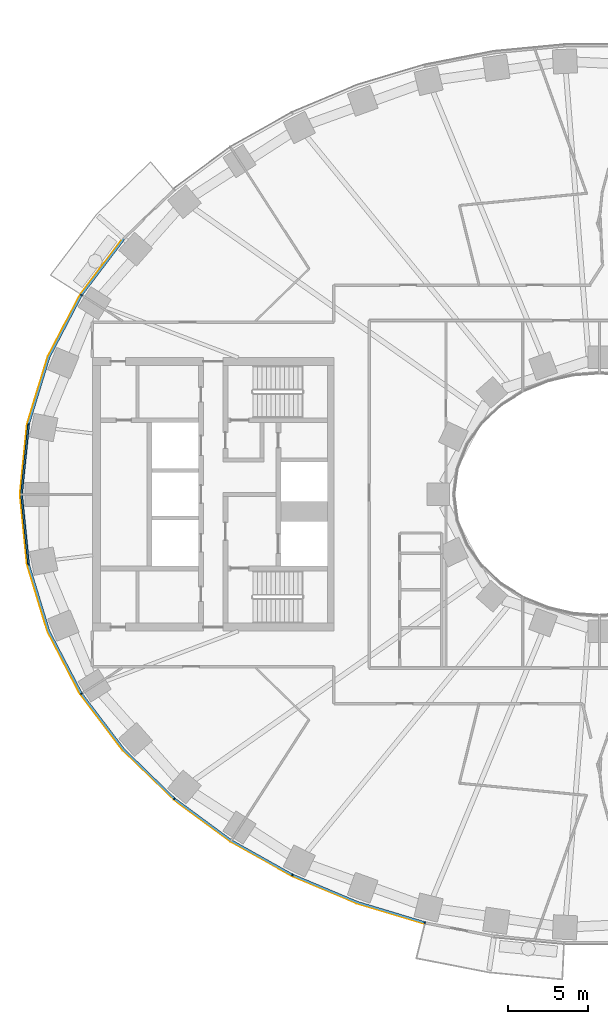
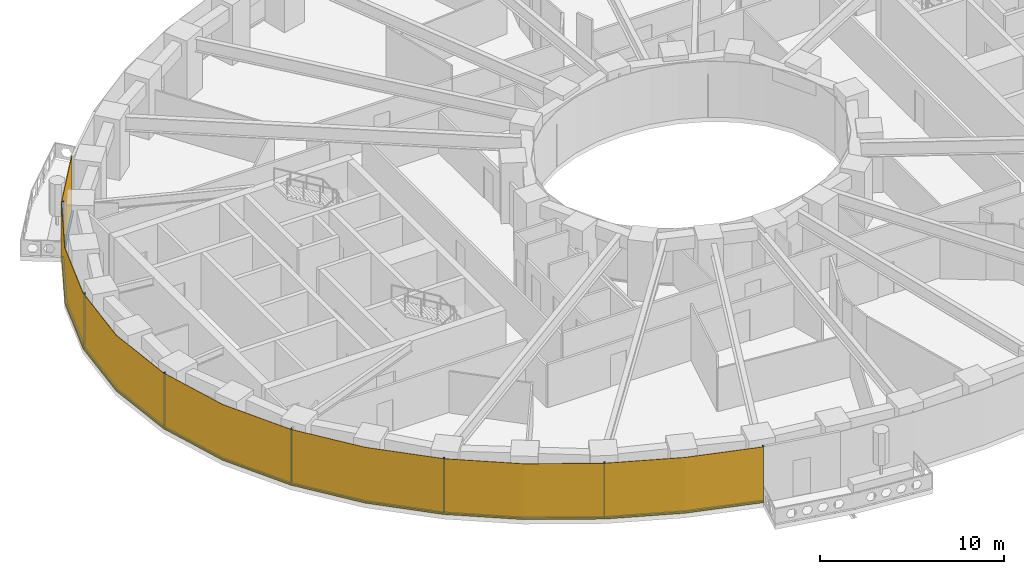
# One storey, part 8 of 16: 14 members, 1 curtain wall.
"""IFC4 building model written with IfcOpenShell, lengths in metres."""

from ifc_helpers import new_model, si_unit, direction, frame, origin, origin_2d, place, context, subcontext, project, spatial, polyline, rectangle, outline, extrude, material, layer, layer_set, material_profile, profile_set, type_object, element, aggregate, save


model = new_model("IFC4")

# Units and contexts
model_context = context("Model", 3, precision=1e-05, world=origin(), true_north=direction((0.0, 1.0)))
body_context = subcontext(model_context, "Body", "Model", "MODEL_VIEW")
ifc_project = project(units=[si_unit("LENGTHUNIT", "METRE"), si_unit("AREAUNIT", "SQUARE_METRE"), si_unit("VOLUMEUNIT", "CUBIC_METRE"), si_unit("PLANEANGLEUNIT", "RADIAN"), si_unit("MASSUNIT", "GRAM", prefix="KILO")], contexts=[model_context])

# Member
ifc_material_1 = material(Name="Aluminium 6063-T6 black anodised", Category="aluminium")
ifc_material_profile = material_profile(ifc_material_1, rectangle(XDim=0.1201171875, YDim=0.06005859375, at=origin_2d()), Name="120x60")
ifc_profile_set = profile_set([ifc_material_profile], Name="Aluminium 6063-T6 black anodised")
member_type_1 = type_object("IfcMemberType", Name="ENV-MULLION-A-120", PredefinedType="MULLION", material=ifc_profile_set)
site_placement = place(None, origin())
building_placement = place(site_placement, origin())
storey_placement = place(building_placement, frame((0.0, 0.0, 46.5)))
member_1_placement = place(storey_placement, frame((-32.177490234375, 12.385498046875, 0.0), z_axis=(0.0, 0.0, 1.0), x_axis=(0.844829880882, -0.53503501976, 0.0)))
member_1 = element("IfcMember", 1, at=member_1_placement, type_object=member_type_1, Name="Mullion A radial 21", PredefinedType="MULLION", context=body_context, shape_type="SweptSolid", body=[
    extrude(rectangle(XDim=0.1201171875, YDim=0.06005859375, at=origin_2d()), origin(), (0.0, 0.0, 1.0), 3.699951171875),
])

member_2_placement = place(storey_placement, frame((-35.470947265625, 4.340576171875, 0.0), z_axis=(0.0, 0.0, 1.0), x_axis=(0.980379083141, -0.19712141776, 0.0)))
member_2 = element("IfcMember", 2, at=member_2_placement, type_object=member_type_1, Name="Mullion A radial 23", PredefinedType="MULLION", context=body_context, shape_type="SweptSolid", body=[
    extrude(rectangle(XDim=0.1201171875, YDim=0.06005859375, at=origin_2d()), origin(), (0.0, 0.0, 1.0), 3.699951171875),
])

member_3_placement = place(storey_placement, frame((-35.470947265625, -4.340576171875, 0.0), z_axis=(0.0, 0.0, 1.0), x_axis=(0.980379083141, 0.19712141776, 0.0)))
member_3 = element("IfcMember", 3, at=member_3_placement, type_object=member_type_1, Name="Mullion A radial 25", PredefinedType="MULLION", context=body_context, shape_type="SweptSolid", body=[
    extrude(rectangle(XDim=0.1201171875, YDim=0.06005859375, at=origin_2d()), origin(), (0.0, 0.0, 1.0), 3.699951171875),
])

member_4_placement = place(storey_placement, frame((-32.177490234375, -12.385498046875, 0.0), z_axis=(0.0, 0.0, 1.0), x_axis=(0.844829880882, 0.53503501976, 0.0)))
member_4 = element("IfcMember", 4, at=member_4_placement, type_object=member_type_1, Name="Mullion A radial 27", PredefinedType="MULLION", context=body_context, shape_type="SweptSolid", body=[
    extrude(rectangle(XDim=0.1201171875, YDim=0.06005859375, at=origin_2d()), origin(), (0.0, 0.0, 1.0), 3.699951171875),
])

member_5_placement = place(storey_placement, frame((-26.403564453125, -18.9130859375, 0.0), z_axis=(0.0, 0.0, 1.0), x_axis=(0.646451313783, 0.762955240435, 0.0)))
member_5 = element("IfcMember", 5, at=member_5_placement, type_object=member_type_1, Name="Mullion A radial 29", PredefinedType="MULLION", context=body_context, shape_type="SweptSolid", body=[
    extrude(rectangle(XDim=0.1201171875, YDim=0.06005859375, at=origin_2d()), origin(), (0.0, 0.0, 1.0), 3.699951171875),
])

member_6_placement = place(storey_placement, frame((-19.06787109375, -23.6474609375, 0.0), z_axis=(0.0, 0.0, 1.0), x_axis=(0.439237769837, 0.898370848563, 0.0)))
member_6 = element("IfcMember", 6, at=member_6_placement, type_object=member_type_1, Name="Mullion A radial 31", PredefinedType="MULLION", context=body_context, shape_type="SweptSolid", body=[
    extrude(rectangle(XDim=0.1201171875, YDim=0.06005859375, at=origin_2d()), origin(), (0.0, 0.0, 1.0), 3.699951171875),
])

member_7_placement = place(storey_placement, frame((-10.84326171875, -26.60498046875, 0.0), z_axis=(0.0, 0.0, 1.0), x_axis=(0.239799081534, 0.970822538106, 0.0)))
member_7 = element("IfcMember", 7, at=member_7_placement, type_object=member_type_1, Name="Mullion A radial 33", PredefinedType="MULLION", context=body_context, shape_type="SweptSolid", body=[
    extrude(rectangle(XDim=0.1201171875, YDim=0.06005859375, at=origin_2d()), origin(), (0.0, 0.0, 1.0), 3.699951171875),
])

ifc_material_2 = material(Name="Aluminium 6063-T6 black anodised", Category="aluminium")
member_type_2 = type_object("IfcMemberType", Name="ENV-TRANSOM-A", PredefinedType="USERDEFINED", material=ifc_material_2)
member_8_placement = place(storey_placement, origin())
member_8 = element("IfcMember", 8, at=member_8_placement, type_object=member_type_2, Name="Transom A radial 20-21", ObjectType="TRANSOM", PredefinedType="USERDEFINED", context=body_context, shape_type="SweptSolid", body=[
    extrude(outline(polyline([(-29.595703125, 15.890869140625), (-32.211181640625, 12.43994140625), (-32.109375, 12.37548828125), (-29.505615234375, 15.811279296875), (-29.595703125, 15.890869140625)])), origin(), (0.0, 0.0, 1.0), 0.10009765625),
])

member_9_placement = place(storey_placement, origin())
member_9 = element("IfcMember", 9, at=member_9_placement, type_object=member_type_2, Name="Transom A radial 21-23", ObjectType="TRANSOM", PredefinedType="USERDEFINED", context=body_context, shape_type="SweptSolid", body=[
    extrude(outline(polyline([(-32.240966796875, 12.392578125), (-34.251220703125, 8.53662109375), (-35.521484375, 4.379150390625), (-35.4033203125, 4.355224609375), (-34.139892578125, 8.490966796875), (-32.139404296875, 12.328369140625), (-32.240966796875, 12.392578125)])), origin(), (0.0, 0.0, 1.0), 0.10009765625),
])

member_10_placement = place(storey_placement, origin())
member_10 = element("IfcMember", 10, at=member_10_placement, type_object=member_type_2, Name="Transom A radial 23-25", ObjectType="TRANSOM", PredefinedType="USERDEFINED", context=body_context, shape_type="SweptSolid", body=[
    extrude(outline(polyline([(-35.532470703125, 4.324462890625), (-35.9677734375, 0.0), (-35.532470703125, -4.324462890625), (-35.414306640625, -4.30078125), (-35.84716796875, 0.0), (-35.414306640625, 4.30078125), (-35.532470703125, 4.324462890625)])), origin(), (0.0, 0.0, 1.0), 0.10009765625),
])

member_11_placement = place(storey_placement, origin())
member_11 = element("IfcMember", 11, at=member_11_placement, type_object=member_type_2, Name="Transom A radial 25-27", ObjectType="TRANSOM", PredefinedType="USERDEFINED", context=body_context, shape_type="SweptSolid", body=[
    extrude(outline(polyline([(-35.521484375, -4.379150390625), (-34.251220703125, -8.53662109375), (-32.240966796875, -12.392578125), (-32.139404296875, -12.328369140625), (-34.139892578125, -8.490966796875), (-35.4033203125, -4.355224609375), (-35.521484375, -4.379150390625)])), origin(), (0.0, 0.0, 1.0), 0.10009765625),
])

member_12_placement = place(storey_placement, origin())
member_12 = element("IfcMember", 12, at=member_12_placement, type_object=member_type_2, Name="Transom A radial 27-29", ObjectType="TRANSOM", PredefinedType="USERDEFINED", context=body_context, shape_type="SweptSolid", body=[
    extrude(outline(polyline([(-32.211181640625, -12.43994140625), (-29.58349609375, -15.906982421875), (-26.46240234375, -18.939208984375), (-26.384765625, -18.847412109375), (-29.493408203125, -15.8271484375), (-32.109375, -12.37548828125), (-32.211181640625, -12.43994140625)])), origin(), (0.0, 0.0, 1.0), 0.10009765625),
])

member_13_placement = place(storey_placement, origin())
member_13 = element("IfcMember", 13, at=member_13_placement, type_object=member_type_2, Name="Transom A radial 29-31", ObjectType="TRANSOM", PredefinedType="USERDEFINED", context=body_context, shape_type="SweptSolid", body=[
    extrude(outline(polyline([(-26.419921875, -18.975341796875), (-22.9150390625, -21.556884765625), (-19.11865234375, -23.687744140625), (-19.06591796875, -23.57958984375), (-22.85009765625, -21.455810546875), (-26.342041015625, -18.883544921875), (-26.419921875, -18.975341796875)])), origin(), (0.0, 0.0, 1.0), 0.10009765625),
])

member_14_placement = place(storey_placement, origin())
member_14 = element("IfcMember", 14, at=member_14_placement, type_object=member_type_2, Name="Transom A radial 31-33", ObjectType="TRANSOM", PredefinedType="USERDEFINED", context=body_context, shape_type="SweptSolid", body=[
    extrude(outline(polyline([(-19.068359375, -23.71240234375), (-15.054443359375, -25.400146484375), (-10.884521484375, -26.655029296875), (-10.855712890625, -26.53857421875), (-15.013916015625, -25.287109375), (-19.015380859375, -23.604248046875), (-19.068359375, -23.71240234375)])), origin(), (0.0, 0.0, 1.0), 0.10009765625),
])

# Site, building, storey
site = spatial("IfcSite", under=ifc_project, at=site_placement, CompositionType="ELEMENT")
building = spatial("IfcBuilding", under=site, at=building_placement, Name="Noorbagh Ring Tower", CompositionType="ELEMENT")
storey = spatial("IfcBuildingStorey", under=building, at=storey_placement, Name="L09", CompositionType="ELEMENT", Elevation=46.5)

# Curtain wall
ifc_material_3 = material(Name="Glass dark tinted laminated", Category="glass")
ifc_layer = layer(ifc_material_3, 0.031982421875)
ifc_layer_set = layer_set([ifc_layer], Name="Glass dark tinted laminated")
curtain_wall_type = type_object("IfcCurtainWallType", Name="ENV-CW-A", PredefinedType="NOTDEFINED", material=ifc_layer_set)
curtain_wall_placement = place(storey_placement, origin())
curtain_wall = element("IfcCurtainWall", 15, at=curtain_wall_placement, inside=storey, type_object=curtain_wall_type, Name="Curtain wall A R20", PredefinedType="NOTDEFINED", context=body_context, shape_type="SweptSolid", body=[
    extrude(outline(polyline([(-29.61962890625, 15.912109375), (-32.255126953125, 12.434814453125), (-34.281005859375, 8.548828125), (-35.561279296875, 4.358642578125), (-36.0, 0.0), (-35.561279296875, -4.358642578125), (-34.281005859375, -8.548828125), (-32.255126953125, -12.434814453125), (-29.607666015625, -15.927978515625), (-26.463134765625, -18.9833984375), (-22.9326171875, -21.583740234375), (-19.108154296875, -23.730224609375), (-15.065185546875, -25.430419921875), (-10.884521484375, -26.6884765625), (-10.876708984375, -26.657470703125), (-15.054443359375, -25.400146484375), (-19.093994140625, -23.701416015625), (-22.9150390625, -21.556884765625), (-26.4423828125, -18.958740234375), (-29.58349609375, -15.906982421875), (-32.22802734375, -12.41748046875), (-34.251220703125, -8.53662109375), (-35.529541015625, -4.352294921875), (-35.9677734375, 0.0), (-35.529541015625, 4.352294921875), (-34.251220703125, 8.53662109375), (-32.22802734375, 12.41748046875), (-29.595703125, 15.890869140625), (-29.61962890625, 15.912109375)])), origin(), (0.0, 0.0, 1.0), 3.699951171875),
])

aggregate(curtain_wall, [member_1, member_2, member_3, member_4, member_5, member_6, member_7, member_8, member_9, member_10, member_11, member_12, member_13, member_14])

save(model, "model.ifc")
